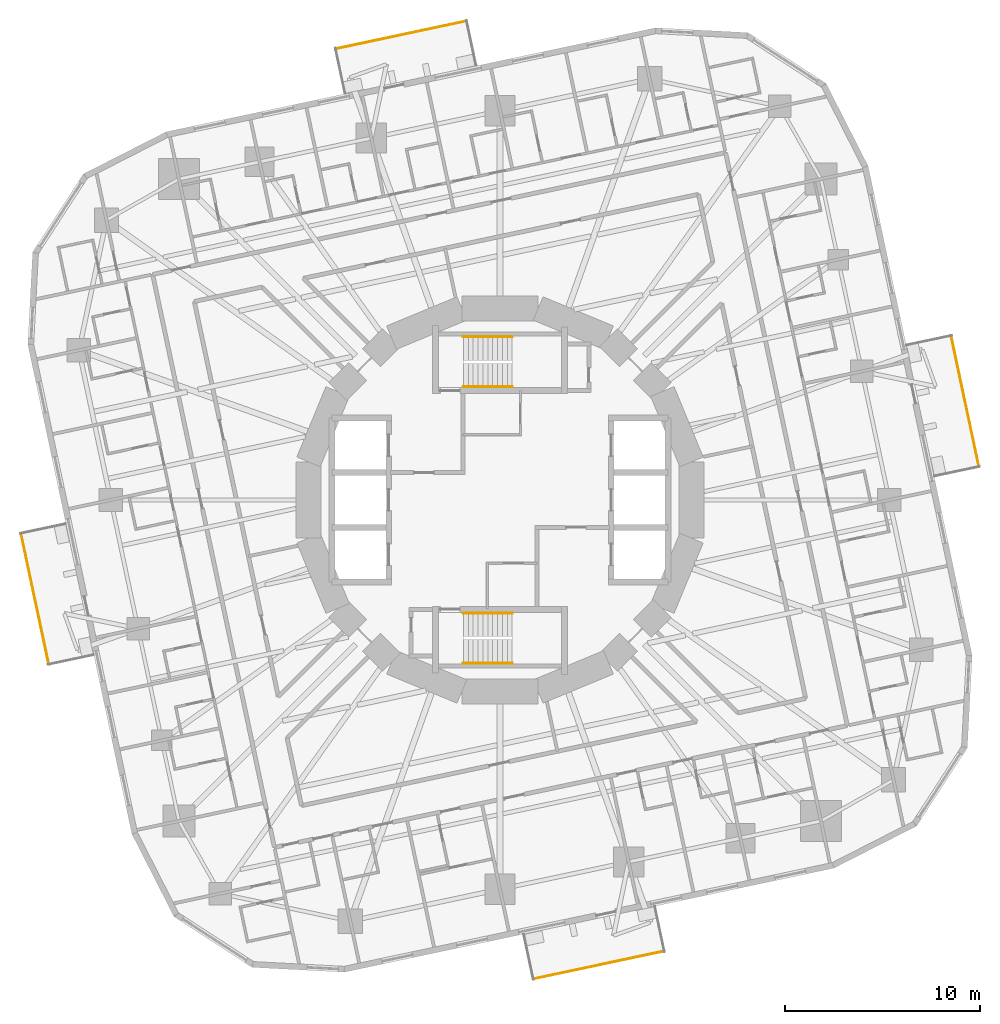
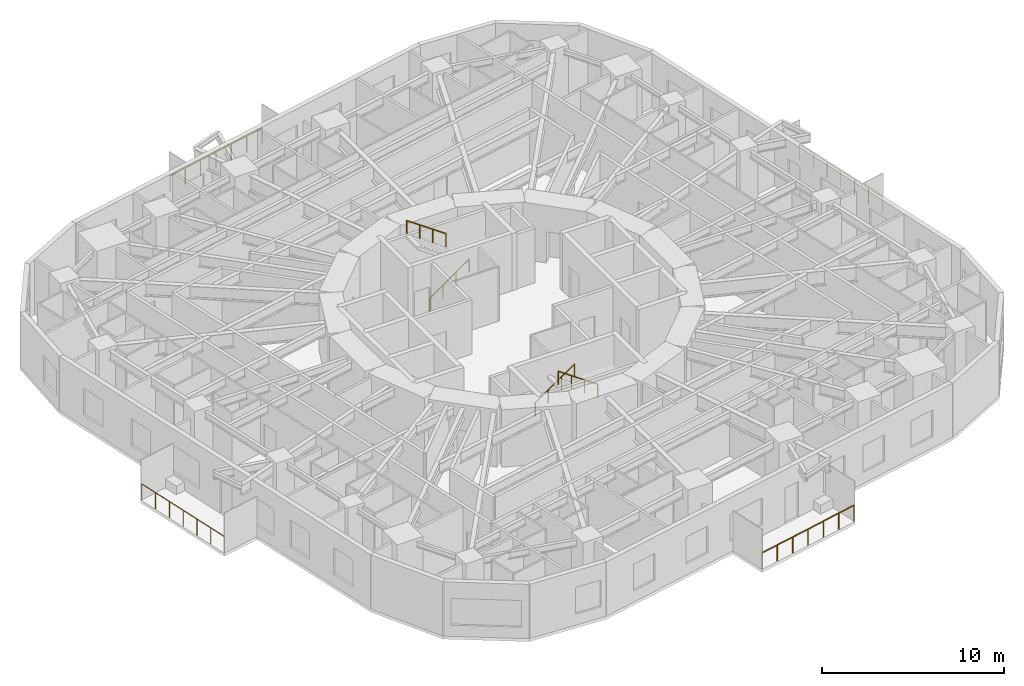
# One storey, part 13 of 14: 8 railings.
"""IFC4 building model written with IfcOpenShell, lengths in metres."""

from ifc_helpers import new_model, si_unit, direction, frame, origin, origin_2d, place, context, subcontext, project, spatial, circle, extrude, material, type_object, element, save


model = new_model("IFC4")

# Units and contexts
model_context = context("Model", 3, precision=1e-05, world=origin(), true_north=direction((0.0, 1.0)))
body_context = subcontext(model_context, "Body", "Model", "MODEL_VIEW")
ifc_project = project(units=[si_unit("LENGTHUNIT", "METRE"), si_unit("AREAUNIT", "SQUARE_METRE"), si_unit("VOLUMEUNIT", "CUBIC_METRE"), si_unit("PLANEANGLEUNIT", "RADIAN"), si_unit("MASSUNIT", "GRAM", prefix="KILO")], contexts=[model_context])

# Site, building, storey
site_placement = place(None, origin())
site = spatial("IfcSite", under=ifc_project, at=site_placement, CompositionType="ELEMENT")
building_placement = place(site_placement, origin())
building = spatial("IfcBuilding", under=site, at=building_placement, Name="Nakasero Lantern House", CompositionType="ELEMENT")
storey_placement = place(building_placement, frame((0.0, 0.0, 108.85009765625)))
storey = spatial("IfcBuildingStorey", under=building, at=storey_placement, Name="L26", CompositionType="ELEMENT", Elevation=108.85009765625)

# Railings
ifc_material_1 = material(Name="Aluminium 6063-T6", Category="aluminium")
railing_type_1 = type_object("IfcRailingType", Name="Balcony guard 1100", PredefinedType="BALUSTRADE", material=ifc_material_1)
railing_1_placement = place(storey_placement, frame((24.52685546875, 1.72705078125, 0.0)))
element("IfcRailing", 1, at=railing_1_placement, inside=storey, type_object=railing_type_1, Name="Balcony guard L26 BAL0", PredefinedType="BALUSTRADE", context=body_context, shape_type="SweptSolid", body=[
    extrude(circle(Radius=0.02392578125, at=origin_2d()), frame((0.0, 0.0, 1.076171875), z_axis=(-0.207907990246, 0.978148387307, 0.0), x_axis=(-0.978148387307, -0.207907990246, 0.0)), (0.0, 0.0, 1.0), 6.820068359375),
    extrude(circle(Radius=0.02099609375, at=origin_2d()), origin(), (0.0, 0.0, 1.0), 1.052001953125),
    extrude(circle(Radius=0.02099609375, at=origin_2d()), frame((-0.236328125, 1.11181640625, 0.0)), (0.0, 0.0, 1.0), 1.052001953125),
    extrude(circle(Radius=0.02099609375, at=origin_2d()), frame((-0.47265625, 2.2236328125, 0.0)), (0.0, 0.0, 1.0), 1.052001953125),
    extrude(circle(Radius=0.02099609375, at=origin_2d()), frame((-0.708984375, 3.33544921875, 0.0)), (0.0, 0.0, 1.0), 1.052001953125),
    extrude(circle(Radius=0.02099609375, at=origin_2d()), frame((-0.9453125, 4.447509765625, 0.0)), (0.0, 0.0, 1.0), 1.052001953125),
    extrude(circle(Radius=0.02099609375, at=origin_2d()), frame((-1.181640625, 5.559326171875, 0.0)), (0.0, 0.0, 1.0), 1.052001953125),
    extrude(circle(Radius=0.02099609375, at=origin_2d()), frame((-1.41796875, 6.671142578125, 0.0)), (0.0, 0.0, 1.0), 1.052001953125),
])
railing_2_placement = place(storey_placement, frame((-1.72705078125, 24.52685546875, 0.0)))
element("IfcRailing", 2, at=railing_2_placement, inside=storey, type_object=railing_type_1, Name="Balcony guard L26 BAL1", PredefinedType="BALUSTRADE", context=body_context, shape_type="SweptSolid", body=[
    extrude(circle(Radius=0.02392578125, at=origin_2d()), frame((0.0, 0.0, 1.076171875), z_axis=(-0.978148387307, -0.207907990246, 0.0), x_axis=(0.207907990246, -0.978148387307, 0.0)), (0.0, 0.0, 1.0), 6.820068359375),
    extrude(circle(Radius=0.02099609375, at=origin_2d()), origin(), (0.0, 0.0, 1.0), 1.052001953125),
    extrude(circle(Radius=0.02099609375, at=origin_2d()), frame((-1.11181640625, -0.236328125, 0.0)), (0.0, 0.0, 1.0), 1.052001953125),
    extrude(circle(Radius=0.02099609375, at=origin_2d()), frame((-2.2236328125, -0.47265625, 0.0)), (0.0, 0.0, 1.0), 1.052001953125),
    extrude(circle(Radius=0.02099609375, at=origin_2d()), frame((-3.33544921875, -0.708984375, 0.0)), (0.0, 0.0, 1.0), 1.052001953125),
    extrude(circle(Radius=0.02099609375, at=origin_2d()), frame((-4.447509765625, -0.9453125, 0.0)), (0.0, 0.0, 1.0), 1.052001953125),
    extrude(circle(Radius=0.02099609375, at=origin_2d()), frame((-5.559326171875, -1.181640625, 0.0)), (0.0, 0.0, 1.0), 1.052001953125),
    extrude(circle(Radius=0.02099609375, at=origin_2d()), frame((-6.671142578125, -1.41796875, 0.0)), (0.0, 0.0, 1.0), 1.052001953125),
])
railing_3_placement = place(storey_placement, frame((-24.52685546875, -1.72705078125, 0.0)))
element("IfcRailing", 3, at=railing_3_placement, inside=storey, type_object=railing_type_1, Name="Balcony guard L26 BAL2", PredefinedType="BALUSTRADE", context=body_context, shape_type="SweptSolid", body=[
    extrude(circle(Radius=0.02392578125, at=origin_2d()), frame((0.0, 0.0, 1.076171875), z_axis=(0.207907990246, -0.978148387307, 0.0), x_axis=(0.978148387307, 0.207907990246, 0.0)), (0.0, 0.0, 1.0), 6.820068359375),
    extrude(circle(Radius=0.02099609375, at=origin_2d()), origin(), (0.0, 0.0, 1.0), 1.052001953125),
    extrude(circle(Radius=0.02099609375, at=origin_2d()), frame((0.236328125, -1.11181640625, 0.0)), (0.0, 0.0, 1.0), 1.052001953125),
    extrude(circle(Radius=0.02099609375, at=origin_2d()), frame((0.47265625, -2.2236328125, 0.0)), (0.0, 0.0, 1.0), 1.052001953125),
    extrude(circle(Radius=0.02099609375, at=origin_2d()), frame((0.708984375, -3.33544921875, 0.0)), (0.0, 0.0, 1.0), 1.052001953125),
    extrude(circle(Radius=0.02099609375, at=origin_2d()), frame((0.9453125, -4.447509765625, 0.0)), (0.0, 0.0, 1.0), 1.052001953125),
    extrude(circle(Radius=0.02099609375, at=origin_2d()), frame((1.181640625, -5.559326171875, 0.0)), (0.0, 0.0, 1.0), 1.052001953125),
    extrude(circle(Radius=0.02099609375, at=origin_2d()), frame((1.41796875, -6.671142578125, 0.0)), (0.0, 0.0, 1.0), 1.052001953125),
])
railing_4_placement = place(storey_placement, frame((1.72705078125, -24.52685546875, 0.0)))
element("IfcRailing", 4, at=railing_4_placement, inside=storey, type_object=railing_type_1, Name="Balcony guard L26 BAL3", PredefinedType="BALUSTRADE", context=body_context, shape_type="SweptSolid", body=[
    extrude(circle(Radius=0.02392578125, at=origin_2d()), frame((0.0, 0.0, 1.076171875), z_axis=(0.978148387307, 0.207907990246, 0.0), x_axis=(-0.207907990246, 0.978148387307, 0.0)), (0.0, 0.0, 1.0), 6.820068359375),
    extrude(circle(Radius=0.02099609375, at=origin_2d()), origin(), (0.0, 0.0, 1.0), 1.052001953125),
    extrude(circle(Radius=0.02099609375, at=origin_2d()), frame((1.11181640625, 0.236328125, 0.0)), (0.0, 0.0, 1.0), 1.052001953125),
    extrude(circle(Radius=0.02099609375, at=origin_2d()), frame((2.2236328125, 0.47265625, 0.0)), (0.0, 0.0, 1.0), 1.052001953125),
    extrude(circle(Radius=0.02099609375, at=origin_2d()), frame((3.33544921875, 0.708984375, 0.0)), (0.0, 0.0, 1.0), 1.052001953125),
    extrude(circle(Radius=0.02099609375, at=origin_2d()), frame((4.447509765625, 0.9453125, 0.0)), (0.0, 0.0, 1.0), 1.052001953125),
    extrude(circle(Radius=0.02099609375, at=origin_2d()), frame((5.559326171875, 1.181640625, 0.0)), (0.0, 0.0, 1.0), 1.052001953125),
    extrude(circle(Radius=0.02099609375, at=origin_2d()), frame((6.671142578125, 1.41796875, 0.0)), (0.0, 0.0, 1.0), 1.052001953125),
])
ifc_material_2 = material(Name="Stainless steel 316", Category="steel")
railing_type_2 = type_object("IfcRailingType", Name="Stair handrail 900", PredefinedType="HANDRAIL", material=ifc_material_2)
railing_5_placement = place(storey_placement, frame((-1.875, 5.800048828125, 0.1748046875)))
element("IfcRailing", 5, at=railing_5_placement, inside=storey, type_object=railing_type_2, Name="Handrail ST1 L26 flight 1", PredefinedType="HANDRAIL", context=body_context, shape_type="SweptSolid", body=[
    extrude(circle(Radius=0.02392578125, at=origin_2d()), frame((0.0, 0.0, 0.8759765625), z_axis=(0.819231920519, 0.0, 0.573462344363), x_axis=(0.0, 1.0, 0.0)), (0.0, 0.0, 1.0), 3.0517578125),
    extrude(circle(Radius=0.02099609375, at=origin_2d()), origin(), (0.0, 0.0, 1.0), 0.851806640625),
    extrude(circle(Radius=0.02099609375, at=origin_2d()), frame((0.833251953125, 0.0, 0.583251953125)), (0.0, 0.0, 1.0), 0.851806640625),
    extrude(circle(Radius=0.02099609375, at=origin_2d()), frame((1.666748046875, 0.0, 1.166748046875)), (0.0, 0.0, 1.0), 0.851806640625),
    extrude(circle(Radius=0.02099609375, at=origin_2d()), frame((2.5, 0.0, 1.75)), (0.0, 0.0, 1.0), 0.851806640625),
])
railing_6_placement = place(storey_placement, frame((0.625, 8.35009765625, 2.099853515625)))
element("IfcRailing", 6, at=railing_6_placement, inside=storey, type_object=railing_type_2, Name="Handrail ST1 L26 flight 2", PredefinedType="HANDRAIL", context=body_context, shape_type="SweptSolid", body=[
    extrude(circle(Radius=0.02392578125, at=origin_2d()), frame((0.0, 0.0, 0.8759765625), z_axis=(-0.819231920519, 0.0, 0.573462344363), x_axis=(0.0, -1.0, 0.0)), (0.0, 0.0, 1.0), 3.0517578125),
    extrude(circle(Radius=0.02099609375, at=origin_2d()), origin(), (0.0, 0.0, 1.0), 0.851806640625),
    extrude(circle(Radius=0.02099609375, at=origin_2d()), frame((-0.833251953125, 0.0, 0.583251953125)), (0.0, 0.0, 1.0), 0.851806640625),
    extrude(circle(Radius=0.02099609375, at=origin_2d()), frame((-1.666748046875, 0.0, 1.166748046875)), (0.0, 0.0, 1.0), 0.851806640625),
    extrude(circle(Radius=0.02099609375, at=origin_2d()), frame((-2.5, 0.0, 1.75)), (0.0, 0.0, 1.0), 0.851806640625),
])
railing_7_placement = place(storey_placement, frame((-1.875, -5.800048828125, 0.1748046875)))
element("IfcRailing", 7, at=railing_7_placement, inside=storey, type_object=railing_type_2, Name="Handrail ST2 L26 flight 1", PredefinedType="HANDRAIL", context=body_context, shape_type="SweptSolid", body=[
    extrude(circle(Radius=0.02392578125, at=origin_2d()), frame((0.0, 0.0, 0.8759765625), z_axis=(0.819231920519, 0.0, 0.573462344363), x_axis=(0.0, 1.0, 0.0)), (0.0, 0.0, 1.0), 3.0517578125),
    extrude(circle(Radius=0.02099609375, at=origin_2d()), origin(), (0.0, 0.0, 1.0), 0.851806640625),
    extrude(circle(Radius=0.02099609375, at=origin_2d()), frame((0.833251953125, 0.0, 0.583251953125)), (0.0, 0.0, 1.0), 0.851806640625),
    extrude(circle(Radius=0.02099609375, at=origin_2d()), frame((1.666748046875, 0.0, 1.166748046875)), (0.0, 0.0, 1.0), 0.851806640625),
    extrude(circle(Radius=0.02099609375, at=origin_2d()), frame((2.5, 0.0, 1.75)), (0.0, 0.0, 1.0), 0.851806640625),
])
railing_8_placement = place(storey_placement, frame((0.625, -8.35009765625, 2.099853515625)))
element("IfcRailing", 8, at=railing_8_placement, inside=storey, type_object=railing_type_2, Name="Handrail ST2 L26 flight 2", PredefinedType="HANDRAIL", context=body_context, shape_type="SweptSolid", body=[
    extrude(circle(Radius=0.02392578125, at=origin_2d()), frame((0.0, 0.0, 0.8759765625), z_axis=(-0.819231920519, 0.0, 0.573462344363), x_axis=(0.0, -1.0, 0.0)), (0.0, 0.0, 1.0), 3.0517578125),
    extrude(circle(Radius=0.02099609375, at=origin_2d()), origin(), (0.0, 0.0, 1.0), 0.851806640625),
    extrude(circle(Radius=0.02099609375, at=origin_2d()), frame((-0.833251953125, 0.0, 0.583251953125)), (0.0, 0.0, 1.0), 0.851806640625),
    extrude(circle(Radius=0.02099609375, at=origin_2d()), frame((-1.666748046875, 0.0, 1.166748046875)), (0.0, 0.0, 1.0), 0.851806640625),
    extrude(circle(Radius=0.02099609375, at=origin_2d()), frame((-2.5, 0.0, 1.75)), (0.0, 0.0, 1.0), 0.851806640625),
])

save(model, "model.ifc")
